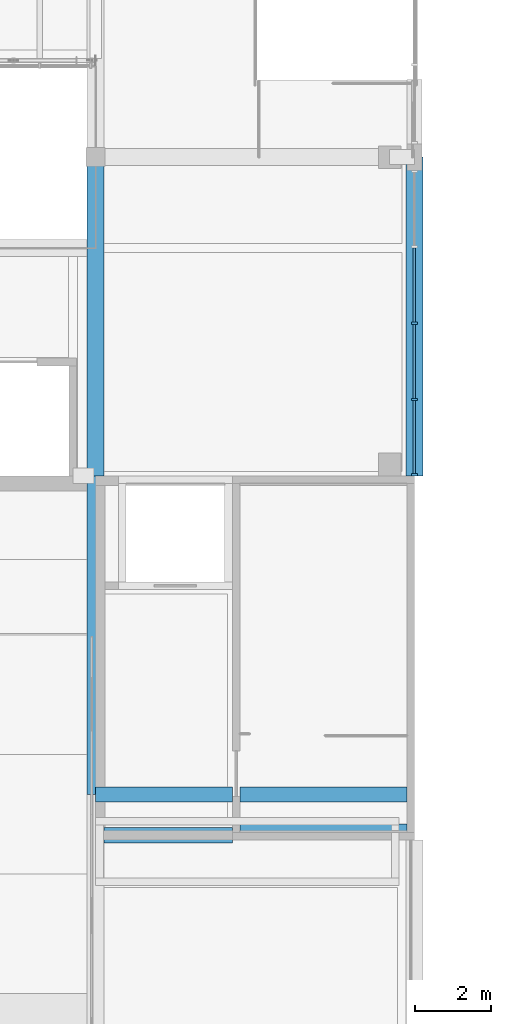
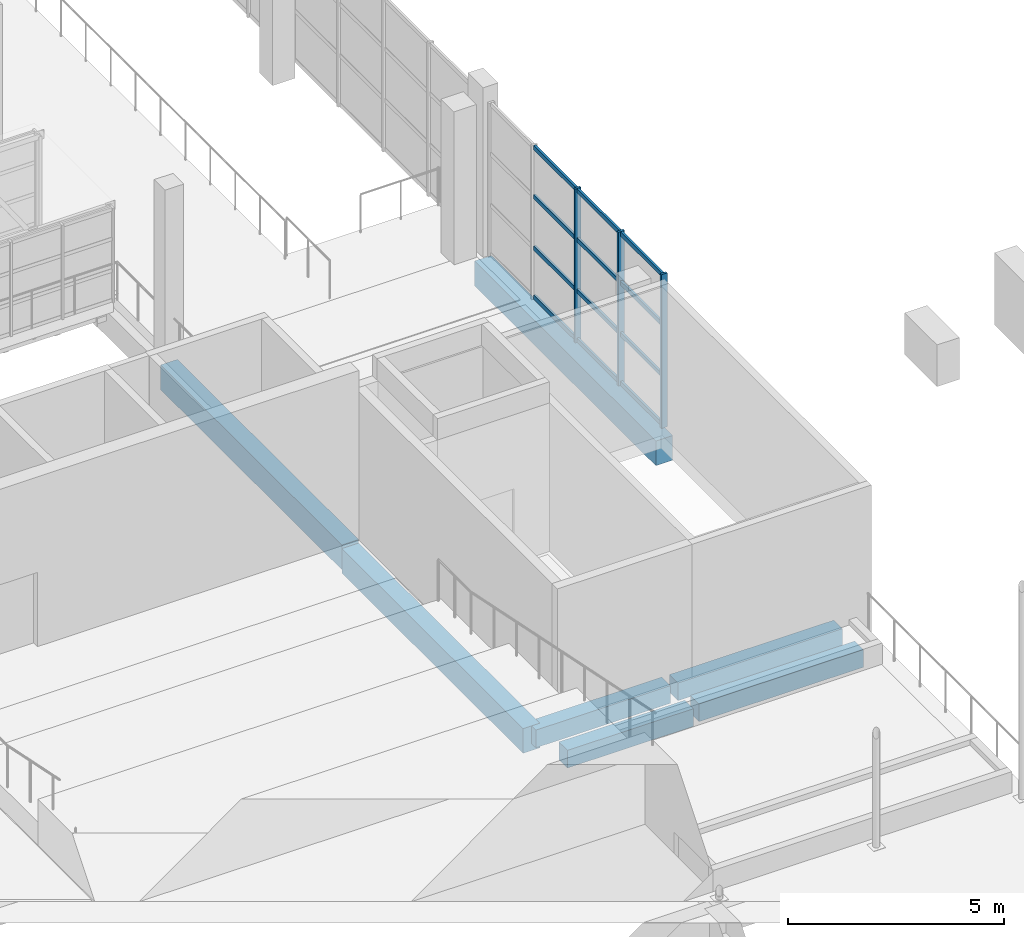
# One storey, part 11 of 67: 15 members, 7 beams, 1 element without a shape of its own.
"""IFC4 building model written with IfcOpenShell, lengths in metres."""

from ifc_helpers import new_model, si_unit, direction, frame, origin, origin_2d, place, context, subcontext, project, spatial, rectangle, extrude, material, layer, layer_set, material_profile, profile_set, type_object, element, aggregate, save


model = new_model("IFC4")

# Units and contexts
model_context = context("Model", 3, precision=1e-05, world=origin(), true_north=direction((0.0, 1.0)))
body_context = subcontext(model_context, "Body", "Model", "MODEL_VIEW")
ifc_project = project(units=[si_unit("LENGTHUNIT", "METRE"), si_unit("AREAUNIT", "SQUARE_METRE"), si_unit("VOLUMEUNIT", "CUBIC_METRE"), si_unit("PLANEANGLEUNIT", "RADIAN"), si_unit("MASSUNIT", "GRAM", prefix="KILO")], contexts=[model_context])

# Site, building, storey
site_placement = place(None, origin())
site = spatial("IfcSite", under=ifc_project, at=site_placement, CompositionType="ELEMENT")
building_placement = place(site_placement, origin())
building = spatial("IfcBuilding", under=site, at=building_placement, Name="Kiln Court Media Centre", CompositionType="ELEMENT")
storey_placement = place(building_placement, frame((0.0, 0.0, 19.800048828125)))
storey = spatial("IfcBuildingStorey", under=building, at=storey_placement, Name="L04", CompositionType="ELEMENT", Elevation=19.800048828125)

# Curtain wall, members
ifc_material_1 = material(Name="Aluminium 6063-T6", Category="aluminium")
ifc_layer = layer(ifc_material_1, 0.1201171875)
ifc_layer_set = layer_set([ifc_layer], Name="Aluminium stick curtain wall, clerestory")
curtain_wall_type = type_object("IfcCurtainWallType", Name="Aluminium stick curtain wall, clerestory", PredefinedType="USERDEFINED", material=ifc_layer_set)
curtain_wall_placement = place(storey_placement, origin())
curtain_wall = element("IfcCurtainWall", 1, at=curtain_wall_placement, inside=storey, type_object=curtain_wall_type, Name="Foyer east clerestory", ObjectType="STICK CURTAIN WALL", PredefinedType="USERDEFINED")
ifc_material_2 = material(Name="Aluminium 6063-T6", Category="aluminium")
ifc_material_profile_1 = material_profile(ifc_material_2, rectangle(XDim=0.06005859375, YDim=0.159912109375, at=origin_2d()), Name="Aluminium hall mullion 60x160")
ifc_profile_set_1 = profile_set([ifc_material_profile_1], Name="Aluminium 6063-T6")
member_type_1 = type_object("IfcMemberType", Name="Aluminium hall mullion 60x160", PredefinedType="MULLION", material=ifc_profile_set_1)
member_1_placement = place(storey_placement, frame((58.800048828125, 25.22998046875, 0.0), z_axis=(0.0, 0.0, 1.0), x_axis=(0.0, 1.0, 0.0)))
member_1 = element("IfcMember", 2, at=member_1_placement, type_object=member_type_1, Name="CW4-62 mullion 1", PredefinedType="MULLION", context=body_context, shape_type="SweptSolid", body=[
    extrude(rectangle(XDim=0.06005859375, YDim=0.159912109375, at=origin_2d()), origin(), (0.0, 0.0, 1.0), 4.349853515625),
])
member_2_placement = place(storey_placement, frame((58.800048828125, 27.212646484375, 0.0), z_axis=(0.0, 0.0, 1.0), x_axis=(0.0, 1.0, 0.0)))
member_2 = element("IfcMember", 3, at=member_2_placement, type_object=member_type_1, Name="CW4-62 mullion 2", PredefinedType="MULLION", context=body_context, shape_type="SweptSolid", body=[
    extrude(rectangle(XDim=0.06005859375, YDim=0.159912109375, at=origin_2d()), origin(), (0.0, 0.0, 1.0), 4.349853515625),
])
member_3_placement = place(storey_placement, frame((58.800048828125, 29.22509765625, 0.0), z_axis=(0.0, 0.0, 1.0), x_axis=(0.0, 1.0, 0.0)))
member_3 = element("IfcMember", 4, at=member_3_placement, type_object=member_type_1, Name="CW4-62 mullion 3", PredefinedType="MULLION", context=body_context, shape_type="SweptSolid", body=[
    extrude(rectangle(XDim=0.06005859375, YDim=0.159912109375, at=origin_2d()), origin(), (0.0, 0.0, 1.0), 4.349853515625),
])
ifc_material_3 = material(Name="Aluminium 6063-T6", Category="aluminium")
ifc_material_profile_2 = material_profile(ifc_material_3, rectangle(XDim=0.06005859375, YDim=0.1201171875, at=origin_2d()), Name="Aluminium hall transom 60x120")
ifc_profile_set_2 = profile_set([ifc_material_profile_2], Name="Aluminium 6063-T6")
member_type_2 = type_object("IfcMemberType", Name="Aluminium hall transom 60x120", PredefinedType="USERDEFINED", material=ifc_profile_set_2)
member_4_placement = place(storey_placement, frame((58.800048828125, 25.260009765625, 0.06005859375), z_axis=(0.0, 1.0, 0.0), x_axis=(-1.0, 0.0, 0.0)))
member_4 = element("IfcMember", 5, at=member_4_placement, type_object=member_type_2, Name="CW4-62 transom 1.1", ObjectType="TRANSOM", PredefinedType="USERDEFINED", context=body_context, shape_type="SweptSolid", body=[
    extrude(rectangle(XDim=0.06005859375, YDim=0.1201171875, at=origin_2d()), origin(), (0.0, 0.0, 1.0), 1.922607421875),
])
member_5_placement = place(storey_placement, frame((58.800048828125, 25.260009765625, 1.449951171875), z_axis=(0.0, 1.0, 0.0), x_axis=(-1.0, 0.0, 0.0)))
member_5 = element("IfcMember", 6, at=member_5_placement, type_object=member_type_2, Name="CW4-62 transom 1.2", ObjectType="TRANSOM", PredefinedType="USERDEFINED", context=body_context, shape_type="SweptSolid", body=[
    extrude(rectangle(XDim=0.06005859375, YDim=0.1201171875, at=origin_2d()), origin(), (0.0, 0.0, 1.0), 1.922607421875),
])
member_6_placement = place(storey_placement, frame((58.800048828125, 25.260009765625, 2.89990234375), z_axis=(0.0, 1.0, 0.0), x_axis=(-1.0, 0.0, 0.0)))
member_6 = element("IfcMember", 7, at=member_6_placement, type_object=member_type_2, Name="CW4-62 transom 1.3", ObjectType="TRANSOM", PredefinedType="USERDEFINED", context=body_context, shape_type="SweptSolid", body=[
    extrude(rectangle(XDim=0.06005859375, YDim=0.1201171875, at=origin_2d()), origin(), (0.0, 0.0, 1.0), 1.922607421875),
])
member_7_placement = place(storey_placement, frame((58.800048828125, 25.260009765625, 4.2900390625), z_axis=(0.0, 1.0, 0.0), x_axis=(-1.0, 0.0, 0.0)))
member_7 = element("IfcMember", 8, at=member_7_placement, type_object=member_type_2, Name="CW4-62 transom 1.4", ObjectType="TRANSOM", PredefinedType="USERDEFINED", context=body_context, shape_type="SweptSolid", body=[
    extrude(rectangle(XDim=0.06005859375, YDim=0.1201171875, at=origin_2d()), origin(), (0.0, 0.0, 1.0), 1.922607421875),
])
member_8_placement = place(storey_placement, frame((58.800048828125, 27.24267578125, 0.06005859375), z_axis=(0.0, 1.0, 0.0), x_axis=(-1.0, 0.0, 0.0)))
member_8 = element("IfcMember", 9, at=member_8_placement, type_object=member_type_2, Name="CW4-62 transom 2.1", ObjectType="TRANSOM", PredefinedType="USERDEFINED", context=body_context, shape_type="SweptSolid", body=[
    extrude(rectangle(XDim=0.06005859375, YDim=0.1201171875, at=origin_2d()), origin(), (0.0, 0.0, 1.0), 1.952392578125),
])
member_9_placement = place(storey_placement, frame((58.800048828125, 27.24267578125, 1.449951171875), z_axis=(0.0, 1.0, 0.0), x_axis=(-1.0, 0.0, 0.0)))
member_9 = element("IfcMember", 10, at=member_9_placement, type_object=member_type_2, Name="CW4-62 transom 2.2", ObjectType="TRANSOM", PredefinedType="USERDEFINED", context=body_context, shape_type="SweptSolid", body=[
    extrude(rectangle(XDim=0.06005859375, YDim=0.1201171875, at=origin_2d()), origin(), (0.0, 0.0, 1.0), 1.952392578125),
])
member_10_placement = place(storey_placement, frame((58.800048828125, 27.24267578125, 2.89990234375), z_axis=(0.0, 1.0, 0.0), x_axis=(-1.0, 0.0, 0.0)))
member_10 = element("IfcMember", 11, at=member_10_placement, type_object=member_type_2, Name="CW4-62 transom 2.3", ObjectType="TRANSOM", PredefinedType="USERDEFINED", context=body_context, shape_type="SweptSolid", body=[
    extrude(rectangle(XDim=0.06005859375, YDim=0.1201171875, at=origin_2d()), origin(), (0.0, 0.0, 1.0), 1.952392578125),
])
member_11_placement = place(storey_placement, frame((58.800048828125, 27.24267578125, 4.2900390625), z_axis=(0.0, 1.0, 0.0), x_axis=(-1.0, 0.0, 0.0)))
member_11 = element("IfcMember", 12, at=member_11_placement, type_object=member_type_2, Name="CW4-62 transom 2.4", ObjectType="TRANSOM", PredefinedType="USERDEFINED", context=body_context, shape_type="SweptSolid", body=[
    extrude(rectangle(XDim=0.06005859375, YDim=0.1201171875, at=origin_2d()), origin(), (0.0, 0.0, 1.0), 1.952392578125),
])
member_12_placement = place(storey_placement, frame((58.800048828125, 29.255126953125, 0.06005859375), z_axis=(0.0, 1.0, 0.0), x_axis=(-1.0, 0.0, 0.0)))
member_12 = element("IfcMember", 13, at=member_12_placement, type_object=member_type_2, Name="CW4-62 transom 3.1", ObjectType="TRANSOM", PredefinedType="USERDEFINED", context=body_context, shape_type="SweptSolid", body=[
    extrude(rectangle(XDim=0.06005859375, YDim=0.1201171875, at=origin_2d()), origin(), (0.0, 0.0, 1.0), 1.952392578125),
])
member_13_placement = place(storey_placement, frame((58.800048828125, 29.255126953125, 1.449951171875), z_axis=(0.0, 1.0, 0.0), x_axis=(-1.0, 0.0, 0.0)))
member_13 = element("IfcMember", 14, at=member_13_placement, type_object=member_type_2, Name="CW4-62 transom 3.2", ObjectType="TRANSOM", PredefinedType="USERDEFINED", context=body_context, shape_type="SweptSolid", body=[
    extrude(rectangle(XDim=0.06005859375, YDim=0.1201171875, at=origin_2d()), origin(), (0.0, 0.0, 1.0), 1.952392578125),
])
member_14_placement = place(storey_placement, frame((58.800048828125, 29.255126953125, 2.89990234375), z_axis=(0.0, 1.0, 0.0), x_axis=(-1.0, 0.0, 0.0)))
member_14 = element("IfcMember", 15, at=member_14_placement, type_object=member_type_2, Name="CW4-62 transom 3.3", ObjectType="TRANSOM", PredefinedType="USERDEFINED", context=body_context, shape_type="SweptSolid", body=[
    extrude(rectangle(XDim=0.06005859375, YDim=0.1201171875, at=origin_2d()), origin(), (0.0, 0.0, 1.0), 1.952392578125),
])
member_15_placement = place(storey_placement, frame((58.800048828125, 29.255126953125, 4.2900390625), z_axis=(0.0, 1.0, 0.0), x_axis=(-1.0, 0.0, 0.0)))
member_15 = element("IfcMember", 16, at=member_15_placement, type_object=member_type_2, Name="CW4-62 transom 3.4", ObjectType="TRANSOM", PredefinedType="USERDEFINED", context=body_context, shape_type="SweptSolid", body=[
    extrude(rectangle(XDim=0.06005859375, YDim=0.1201171875, at=origin_2d()), origin(), (0.0, 0.0, 1.0), 1.952392578125),
])
aggregate(curtain_wall, [member_1, member_2, member_3, member_4, member_5, member_6, member_7, member_8, member_9, member_10, member_11, member_12, member_13, member_14, member_15])

# Beams
ifc_material_4 = material(Name="Concrete C30/37", Category="concrete")
ifc_material_profile_3 = material_profile(ifc_material_4, rectangle(XDim=0.39990234375, YDim=0.5, at=origin_2d()), Name="RC 400x500")
ifc_profile_set_3 = profile_set([ifc_material_profile_3], Name="Concrete C30/37")
beam_type_1 = type_object("IfcBeamType", Name="Concrete C30/37 beam 400x500", PredefinedType="BEAM", material=ifc_profile_set_3)
beam_1_placement = place(storey_placement, frame((50.39990234375, 16.800048828125, -0.650146484375), z_axis=(1.0, 0.0, 0.0), x_axis=(0.0, 1.0, 0.0)))
element("IfcBeam", 17, at=beam_1_placement, inside=storey, type_object=beam_type_1, Name="L04-B-1053", PredefinedType="BEAM", context=body_context, shape_type="SweptSolid", body=[
    extrude(rectangle(XDim=0.39990234375, YDim=0.5, at=origin_2d()), origin(), (0.0, 0.0, 1.0), 3.60009765625),
])
beam_2_placement = place(storey_placement, frame((54.199951171875, 16.800048828125, -0.650146484375), z_axis=(1.0, 0.0, 0.0), x_axis=(0.0, 1.0, 0.0)))
element("IfcBeam", 18, at=beam_2_placement, inside=storey, type_object=beam_type_1, Name="L04-B-1054", PredefinedType="BEAM", context=body_context, shape_type="SweptSolid", body=[
    extrude(rectangle(XDim=0.39990234375, YDim=0.5, at=origin_2d()), origin(), (0.0, 0.0, 1.0), 4.400146484375),
])
beam_3_placement = place(storey_placement, frame((54.0, 15.72509765625, -0.650146484375), z_axis=(-1.0, 0.0, 0.0), x_axis=(0.0, -1.0, 0.0)))
element("IfcBeam", 19, at=beam_3_placement, inside=storey, type_object=beam_type_1, Name="L04-B-1057", PredefinedType="BEAM", context=body_context, shape_type="SweptSolid", body=[
    extrude(rectangle(XDim=0.39990234375, YDim=0.5, at=origin_2d()), origin(), (0.0, 0.0, 1.0), 3.375),
])
beam_4_placement = place(storey_placement, frame((58.60009765625, 15.824951171875, -0.650146484375), z_axis=(-1.0, 0.0, 0.0), x_axis=(0.0, -1.0, 0.0)))
element("IfcBeam", 20, at=beam_4_placement, inside=storey, type_object=beam_type_1, Name="L04-B-1058", PredefinedType="BEAM", context=body_context, shape_type="SweptSolid", body=[
    extrude(rectangle(XDim=0.39990234375, YDim=0.5, at=origin_2d()), origin(), (0.0, 0.0, 1.0), 4.400146484375),
])
ifc_material_5 = material(Name="Concrete C30/37", Category="concrete")
ifc_material_profile_4 = material_profile(ifc_material_5, rectangle(XDim=0.449951171875, YDim=0.699951171875, at=origin_2d()), Name="RC 450x700")
ifc_profile_set_4 = profile_set([ifc_material_profile_4], Name="Concrete C30/37")
beam_type_2 = type_object("IfcBeamType", Name="Concrete C30/37 beam 450x700", PredefinedType="BEAM", material=ifc_profile_set_4)
beam_5_placement = place(storey_placement, frame((50.39990234375, 16.800048828125, -0.75), z_axis=(0.0, 1.0, 0.0), x_axis=(-1.0, 0.0, 0.0)))
element("IfcBeam", 21, at=beam_5_placement, inside=storey, type_object=beam_type_2, Name="L04-B-1043", PredefinedType="BEAM", context=body_context, shape_type="SweptSolid", body=[
    extrude(rectangle(XDim=0.449951171875, YDim=0.699951171875, at=origin_2d()), origin(), (0.0, 0.0, 1.0), 8.39990234375),
])
for number, where, z_axis, x_axis, name in (
    (22, (50.39990234375, 25.199951171875, -0.650146484375), (0.0, 1.0, 0.0), (-1.0, 0.0, 0.0), "L04-B-1085"),
    (23, (58.800048828125, 25.199951171875, -0.650146484375), (0.0, 1.0, 0.0), (-1.0, 0.0, 0.0), "L04-B-1088"),
):
    element("IfcBeam", number, at=place(storey_placement, frame(where, z_axis=z_axis, x_axis=x_axis)), inside=storey, type_object=beam_type_2, Name=name, PredefinedType="BEAM", context=body_context, shape_type="SweptSolid", body=[
        extrude(rectangle(XDim=0.449951171875, YDim=0.699951171875, at=origin_2d()), origin(), (0.0, 0.0, 1.0), 8.400146484375),
    ])

save(model, "model.ifc")
